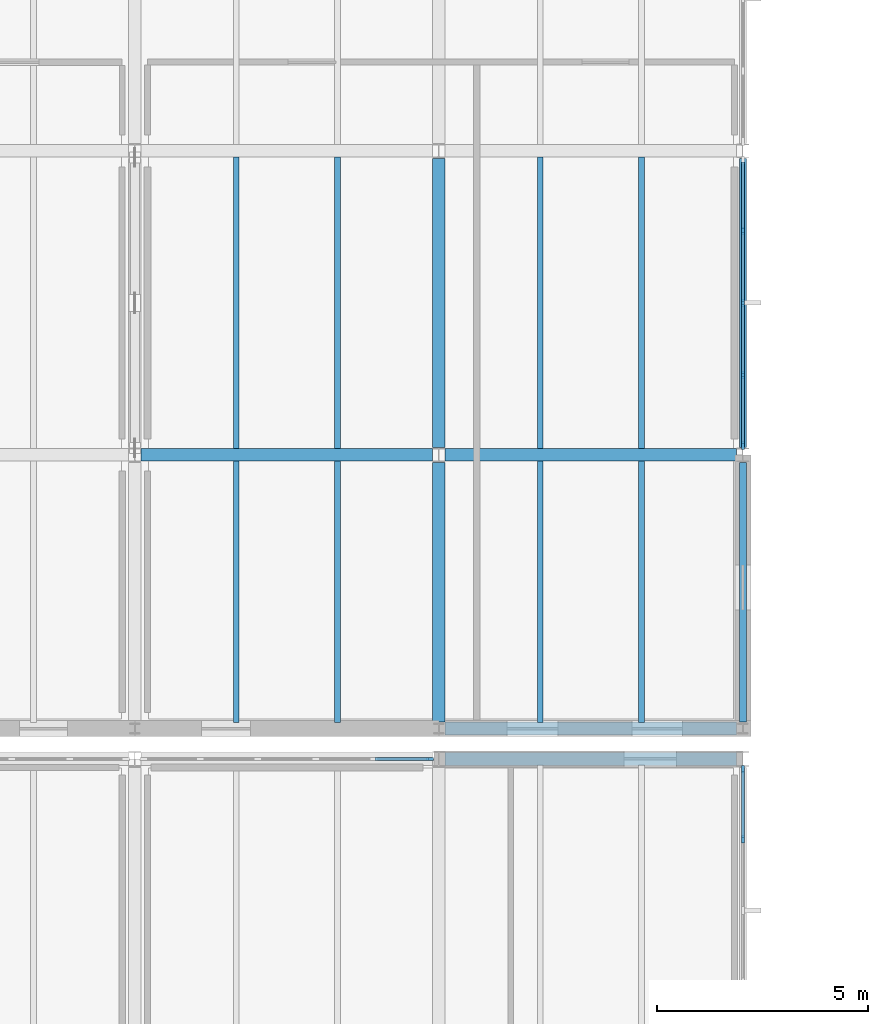
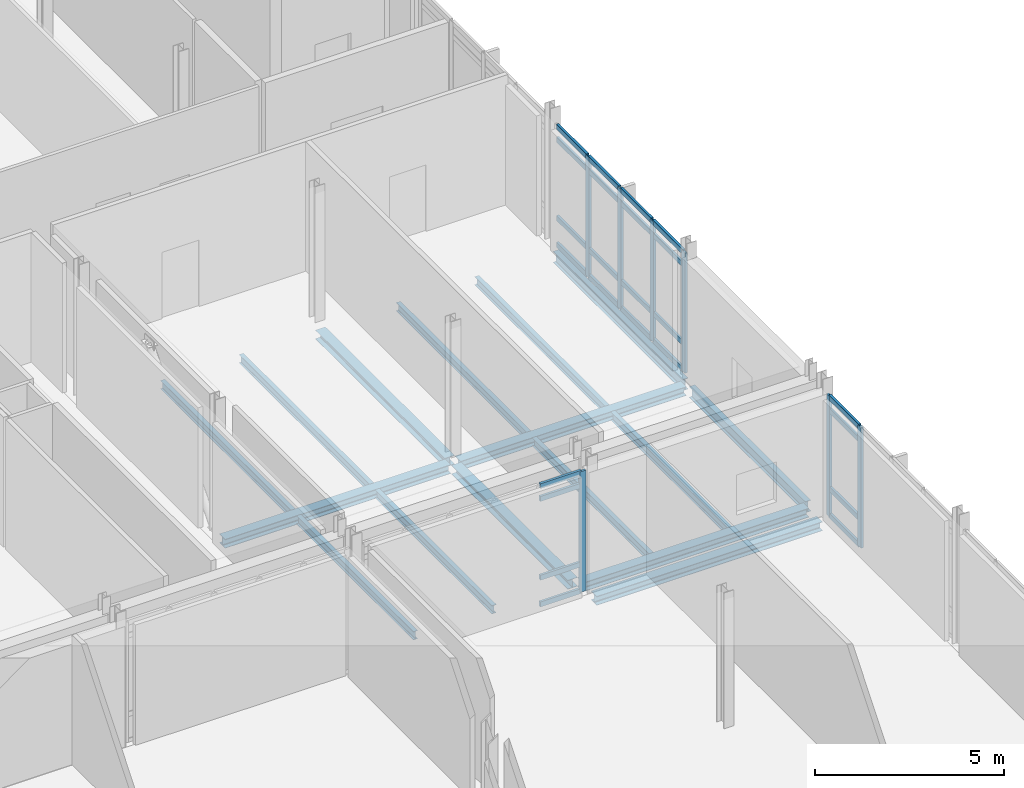
# One storey, part 21 of 72: 31 members, 16 beams, 3 elements without a shape of their own.
"""IFC4 building model written with IfcOpenShell, lengths in metres."""

from ifc_helpers import new_model, si_unit, direction, frame, origin, origin_2d, place, context, subcontext, project, spatial, rectangle, i_section, extrude, material, layer, layer_set, material_profile, profile_set, type_object, element, aggregate, save


model = new_model("IFC4")

# Units and contexts
model_context = context("Model", 3, precision=1e-05, world=origin(), true_north=direction((0.0, 1.0)))
body_context = subcontext(model_context, "Body", "Model", "MODEL_VIEW")
ifc_project = project(units=[si_unit("LENGTHUNIT", "METRE"), si_unit("AREAUNIT", "SQUARE_METRE"), si_unit("VOLUMEUNIT", "CUBIC_METRE"), si_unit("PLANEANGLEUNIT", "RADIAN"), si_unit("MASSUNIT", "GRAM", prefix="KILO")], contexts=[model_context])

# Site, building, storey
site_placement = place(None, origin())
site = spatial("IfcSite", under=ifc_project, at=site_placement, CompositionType="ELEMENT")
building_placement = place(site_placement, origin())
building = spatial("IfcBuilding", under=site, at=building_placement, Name="Zarrinpeak Specialist Clinic", CompositionType="ELEMENT")
storey_placement = place(building_placement, frame((0.0, 0.0, 9.60009765625)))
storey = spatial("IfcBuildingStorey", under=building, at=storey_placement, Name="L02", CompositionType="ELEMENT", Elevation=9.60009765625)

# Beams
ifc_material_1 = material(Name="Steel S355", Category="steel")
ifc_material_profile_1 = material_profile(ifc_material_1, i_section(OverallWidth=0.300048828125, OverallDepth=0.2900390625, WebThickness=0.008544921875, FlangeThickness=0.013916015625, FilletRadius=0.027099609375, at=origin_2d()), Name="HEA 300")
ifc_profile_set_1 = profile_set([ifc_material_profile_1], Name="Steel S355")
beam_type_1 = type_object("IfcBeamType", Name="BM-HEA300", PredefinedType="BEAM", material=ifc_profile_set_1)
for number, where, z_axis, x_axis, name in (
    (1, (21.748046875, 50.39990234375, -0.360107421875), (1.0, 0.0, 0.0), (0.0, 1.0, 0.0), "L02 Primary Floor Girder BM-L02-X1175"),
    (2, (21.748046875, 51.1201171875, -0.360107421875), (1.0, 0.0, 0.0), (0.0, 1.0, 0.0), "L02 Primary Floor Girder BM-L02-X1180"),
):
    element("IfcBeam", number, at=place(storey_placement, frame(where, z_axis=z_axis, x_axis=x_axis)), inside=storey, type_object=beam_type_1, Name=name, PredefinedType="BEAM", context=body_context, shape_type="SweptSolid", body=[
        extrude(i_section(OverallWidth=0.300048828125, OverallDepth=0.2900390625, WebThickness=0.008544921875, FlangeThickness=0.013916015625, FilletRadius=0.027099609375, at=origin_2d()), origin(), (0.0, 0.0, 1.0), 6.904052734375),
    ])
beam_1_placement = place(storey_placement, frame((14.548095703125, 57.60009765625, -0.360107421875), z_axis=(1.0, 0.0, 0.0), x_axis=(0.0, 1.0, 0.0)))
element("IfcBeam", 3, at=beam_1_placement, inside=storey, type_object=beam_type_1, Name="L02 Primary Floor Girder BM-L02-X1183", PredefinedType="BEAM", context=body_context, shape_type="SweptSolid", body=[
    extrude(i_section(OverallWidth=0.300048828125, OverallDepth=0.2900390625, WebThickness=0.008544921875, FlangeThickness=0.013916015625, FilletRadius=0.027099609375, at=origin_2d()), origin(), (0.0, 0.0, 1.0), 6.90380859375),
])
beam_2_placement = place(storey_placement, frame((21.748046875, 57.60009765625, -0.360107421875), z_axis=(1.0, 0.0, 0.0), x_axis=(0.0, 1.0, 0.0)))
element("IfcBeam", 4, at=beam_2_placement, inside=storey, type_object=beam_type_1, Name="L02 Primary Floor Girder BM-L02-X1184", PredefinedType="BEAM", context=body_context, shape_type="SweptSolid", body=[
    extrude(i_section(OverallWidth=0.300048828125, OverallDepth=0.2900390625, WebThickness=0.008544921875, FlangeThickness=0.013916015625, FilletRadius=0.027099609375, at=origin_2d()), origin(), (0.0, 0.0, 1.0), 6.904052734375),
])
beam_3_placement = place(storey_placement, frame((21.60009765625, 51.278076171875, -0.360107421875), z_axis=(0.0, 1.0, 0.0), x_axis=(-1.0, 0.0, 0.0)))
element("IfcBeam", 5, at=beam_3_placement, inside=storey, type_object=beam_type_1, Name="L02 Primary Beam BM-L02-Y1261", PredefinedType="BEAM", context=body_context, shape_type="SweptSolid", body=[
    extrude(i_section(OverallWidth=0.300048828125, OverallDepth=0.2900390625, WebThickness=0.008544921875, FlangeThickness=0.013916015625, FilletRadius=0.027099609375, at=origin_2d()), origin(), (0.0, 0.0, 1.0), 6.14404296875),
])
beam_4_placement = place(storey_placement, frame((21.60009765625, 57.778076171875, -0.360107421875), z_axis=(0.0, 1.0, 0.0), x_axis=(-1.0, 0.0, 0.0)))
element("IfcBeam", 6, at=beam_4_placement, inside=storey, type_object=beam_type_1, Name="L02 Primary Beam BM-L02-Y1262", PredefinedType="BEAM", context=body_context, shape_type="SweptSolid", body=[
    extrude(i_section(OverallWidth=0.300048828125, OverallDepth=0.2900390625, WebThickness=0.008544921875, FlangeThickness=0.013916015625, FilletRadius=0.027099609375, at=origin_2d()), origin(), (0.0, 0.0, 1.0), 6.843994140625),
])
ifc_material_profile_2 = material_profile(ifc_material_1, i_section(OverallWidth=0.135009765625, OverallDepth=0.27001953125, WebThickness=0.006591796875, FlangeThickness=0.01025390625, FilletRadius=0.014892578125, at=origin_2d()), Name="IPE 270")
ifc_profile_set_2 = profile_set([ifc_material_profile_2], Name="Steel S355")
beam_type_2 = type_object("IfcBeamType", Name="BM-JST270", PredefinedType="JOIST", material=ifc_profile_set_2)
for number, where, z_axis, x_axis, name in (
    (7, (16.800048828125, 51.26806640625, -0.35009765625), (0.0, 1.0, 0.0), (-1.0, 0.0, 0.0), "L02 Composite Floor Joist JST-L02-1438"),
    (8, (19.199951171875, 51.26806640625, -0.35009765625), (0.0, 1.0, 0.0), (-1.0, 0.0, 0.0), "L02 Composite Floor Joist JST-L02-1439"),
):
    element("IfcBeam", number, at=place(storey_placement, frame(where, z_axis=z_axis, x_axis=x_axis)), inside=storey, type_object=beam_type_2, Name=name, PredefinedType="JOIST", context=body_context, shape_type="SweptSolid", body=[
        extrude(i_section(OverallWidth=0.135009765625, OverallDepth=0.27001953125, WebThickness=0.006591796875, FlangeThickness=0.01025390625, FilletRadius=0.014892578125, at=origin_2d()), origin(), (0.0, 0.0, 1.0), 6.183837890625),
    ])
for number, where, z_axis, x_axis, name in (
    (9, (16.800048828125, 57.748046875, -0.35009765625), (0.0, 1.0, 0.0), (-1.0, 0.0, 0.0), "L02 Composite Floor Joist JST-L02-1440"),
    (10, (19.199951171875, 57.748046875, -0.35009765625), (0.0, 1.0, 0.0), (-1.0, 0.0, 0.0), "L02 Composite Floor Joist JST-L02-1441"),
):
    element("IfcBeam", number, at=place(storey_placement, frame(where, z_axis=z_axis, x_axis=x_axis)), inside=storey, type_object=beam_type_2, Name=name, PredefinedType="JOIST", context=body_context, shape_type="SweptSolid", body=[
        extrude(i_section(OverallWidth=0.135009765625, OverallDepth=0.27001953125, WebThickness=0.006591796875, FlangeThickness=0.01025390625, FilletRadius=0.014892578125, at=origin_2d()), origin(), (0.0, 0.0, 1.0), 6.904052734375),
    ])
for number, where, z_axis, x_axis, name in (
    (11, (24.0, 51.26806640625, -0.35009765625), (0.0, 1.0, 0.0), (-1.0, 0.0, 0.0), "L02 Composite Floor Joist JST-L02-1448"),
    (12, (26.39990234375, 51.26806640625, -0.35009765625), (0.0, 1.0, 0.0), (-1.0, 0.0, 0.0), "L02 Composite Floor Joist JST-L02-1449"),
):
    element("IfcBeam", number, at=place(storey_placement, frame(where, z_axis=z_axis, x_axis=x_axis)), inside=storey, type_object=beam_type_2, Name=name, PredefinedType="JOIST", context=body_context, shape_type="SweptSolid", body=[
        extrude(i_section(OverallWidth=0.135009765625, OverallDepth=0.27001953125, WebThickness=0.006591796875, FlangeThickness=0.01025390625, FilletRadius=0.014892578125, at=origin_2d()), origin(), (0.0, 0.0, 1.0), 6.183837890625),
    ])
for number, where, z_axis, x_axis, name in (
    (13, (24.0, 57.748046875, -0.35009765625), (0.0, 1.0, 0.0), (-1.0, 0.0, 0.0), "L02 Composite Floor Joist JST-L02-1450"),
    (14, (26.39990234375, 57.748046875, -0.35009765625), (0.0, 1.0, 0.0), (-1.0, 0.0, 0.0), "L02 Composite Floor Joist JST-L02-1451"),
):
    element("IfcBeam", number, at=place(storey_placement, frame(where, z_axis=z_axis, x_axis=x_axis)), inside=storey, type_object=beam_type_2, Name=name, PredefinedType="JOIST", context=body_context, shape_type="SweptSolid", body=[
        extrude(i_section(OverallWidth=0.135009765625, OverallDepth=0.27001953125, WebThickness=0.006591796875, FlangeThickness=0.01025390625, FilletRadius=0.014892578125, at=origin_2d()), origin(), (0.0, 0.0, 1.0), 6.904052734375),
    ])
ifc_material_profile_3 = material_profile(ifc_material_1, i_section(OverallWidth=0.169921875, OverallDepth=0.360107421875, WebThickness=0.008056640625, FlangeThickness=0.0126953125, FilletRadius=0.01806640625, at=origin_2d()), Name="IPE 360")
ifc_profile_set_3 = profile_set([ifc_material_profile_3], Name="Steel S355")
beam_type_3 = type_object("IfcBeamType", Name="BM-SP360", PredefinedType="SPANDREL", material=ifc_profile_set_3)
beam_5_placement = place(storey_placement, frame((28.800048828125, 51.278076171875, -0.39501953125), z_axis=(0.0, 1.0, 0.0), x_axis=(-1.0, 0.0, 0.0)))
element("IfcBeam", 15, at=beam_5_placement, inside=storey, type_object=beam_type_3, Name="L02 Perimeter Spandrel Beam BM-L02-Y1270", PredefinedType="SPANDREL", context=body_context, shape_type="SweptSolid", body=[
    extrude(i_section(OverallWidth=0.169921875, OverallDepth=0.360107421875, WebThickness=0.008056640625, FlangeThickness=0.0126953125, FilletRadius=0.01806640625, at=origin_2d()), origin(), (0.0, 0.0, 1.0), 6.14404296875),
])
beam_6_placement = place(storey_placement, frame((28.800048828125, 57.778076171875, -0.39501953125), z_axis=(0.0, 1.0, 0.0), x_axis=(-1.0, 0.0, 0.0)))
element("IfcBeam", 16, at=beam_6_placement, inside=storey, type_object=beam_type_3, Name="L02 Perimeter Spandrel Beam BM-L02-Y1271", PredefinedType="SPANDREL", context=body_context, shape_type="SweptSolid", body=[
    extrude(i_section(OverallWidth=0.169921875, OverallDepth=0.360107421875, WebThickness=0.008056640625, FlangeThickness=0.0126953125, FilletRadius=0.01806640625, at=origin_2d()), origin(), (0.0, 0.0, 1.0), 6.843994140625),
])

# Curtain wall, member
ifc_material_2 = material(Name="Anodised Aluminium Alloy 6063-T6", Category="aluminium")
ifc_layer_1 = layer(ifc_material_2, 0.1650390625)
ifc_layer_set_1 = layer_set([ifc_layer_1], Name="Anodised Aluminium Alloy 6063-T6")
curtain_wall_type_1 = type_object("IfcCurtainWallType", Name="CW-CLINIC", PredefinedType="NOTDEFINED", material=ifc_layer_set_1)
curtain_wall_1_placement = place(storey_placement, origin())
curtain_wall_1 = element("IfcCurtainWall", 17, at=curtain_wall_1_placement, inside=storey, type_object=curtain_wall_type_1, Name="L02 V1 Unitised Curtain Wall CW-L02-V1-014", PredefinedType="NOTDEFINED")
ifc_material_profile_4 = material_profile(ifc_material_2, rectangle(XDim=0.074951171875, YDim=0.179931640625, at=origin_2d()), Name="ALU 75x180")
ifc_profile_set_4 = profile_set([ifc_material_profile_4], Name="Anodised Aluminium Alloy 6063-T6")
member_type_1 = type_object("IfcMemberType", Name="CWM-75", PredefinedType="MULLION", material=ifc_profile_set_4)
member_1_placement = place(storey_placement, frame((21.387451171875, 50.39990234375, 0.0), z_axis=(0.0, 0.0, 1.0), x_axis=(0.0, -1.0, 0.0)))
member_1 = element("IfcMember", 18, at=member_1_placement, type_object=member_type_1, Name="CW-03 mullion 1", PredefinedType="MULLION", context=body_context, shape_type="SweptSolid", body=[
    extrude(rectangle(XDim=0.074951171875, YDim=0.179931640625, at=origin_2d()), origin(), (0.0, 0.0, 1.0), 3.89501953125),
])

# Curtain wall, members
ifc_layer_2 = layer(ifc_material_2, 0.179931640625)
ifc_layer_set_2 = layer_set([ifc_layer_2], Name="Anodised Aluminium Alloy 6063-T6")
curtain_wall_type_2 = type_object("IfcCurtainWallType", Name="CW-COURT", PredefinedType="NOTDEFINED", material=ifc_layer_set_2)
curtain_wall_2_placement = place(storey_placement, origin())
curtain_wall_2 = element("IfcCurtainWall", 19, at=curtain_wall_2_placement, inside=storey, type_object=curtain_wall_type_2, Name="L02 V1 Unitised Curtain Wall CW-L02-V1-018", PredefinedType="NOTDEFINED")
member_2_placement = place(storey_placement, frame((28.800048828125, 48.50244140625, 0.0), z_axis=(0.0, 0.0, 1.0), x_axis=(-1.0, 0.0, 0.0)))
member_2 = element("IfcMember", 20, at=member_2_placement, type_object=member_type_1, Name="CW-01 mullion 4", PredefinedType="MULLION", context=body_context, shape_type="SweptSolid", body=[
    extrude(rectangle(XDim=0.074951171875, YDim=0.179931640625, at=origin_2d()), origin(), (0.0, 0.0, 1.0), 3.885009765625),
])
member_3_placement = place(storey_placement, frame((28.800048828125, 50.157470703125, 0.0), z_axis=(0.0, 0.0, 1.0), x_axis=(-1.0, 0.0, 0.0)))
member_3 = element("IfcMember", 21, at=member_3_placement, type_object=member_type_1, Name="CW-01 mullion 5", PredefinedType="MULLION", context=body_context, shape_type="SweptSolid", body=[
    extrude(rectangle(XDim=0.074951171875, YDim=0.179931640625, at=origin_2d()), origin(), (0.0, 0.0, 1.0), 3.885009765625),
])

curtain_wall_3_placement = place(storey_placement, origin())
curtain_wall_3 = element("IfcCurtainWall", 22, at=curtain_wall_3_placement, inside=storey, type_object=curtain_wall_type_2, Name="L02 V5 Unitised Curtain Wall CW-L02-V5-125", PredefinedType="NOTDEFINED")
member_4_placement = place(storey_placement, frame((28.800048828125, 57.822509765625, 0.0), z_axis=(0.0, 0.0, 1.0), x_axis=(-1.0, 0.0, 0.0)))
member_4 = element("IfcMember", 23, at=member_4_placement, type_object=member_type_1, Name="CW-01 mullion 1", PredefinedType="MULLION", context=body_context, shape_type="SweptSolid", body=[
    extrude(rectangle(XDim=0.074951171875, YDim=0.179931640625, at=origin_2d()), origin(), (0.0, 0.0, 1.0), 3.885009765625),
])
member_5_placement = place(storey_placement, frame((28.800048828125, 59.492431640625, 0.0), z_axis=(0.0, 0.0, 1.0), x_axis=(-1.0, 0.0, 0.0)))
member_5 = element("IfcMember", 24, at=member_5_placement, type_object=member_type_1, Name="CW-01 mullion 2", PredefinedType="MULLION", context=body_context, shape_type="SweptSolid", body=[
    extrude(rectangle(XDim=0.074951171875, YDim=0.179931640625, at=origin_2d()), origin(), (0.0, 0.0, 1.0), 3.885009765625),
])
member_6_placement = place(storey_placement, frame((28.800048828125, 61.199951171875, 0.0), z_axis=(0.0, 0.0, 1.0), x_axis=(-1.0, 0.0, 0.0)))
member_6 = element("IfcMember", 25, at=member_6_placement, type_object=member_type_1, Name="CW-01 mullion 3", PredefinedType="MULLION", context=body_context, shape_type="SweptSolid", body=[
    extrude(rectangle(XDim=0.074951171875, YDim=0.179931640625, at=origin_2d()), origin(), (0.0, 0.0, 1.0), 3.885009765625),
])
member_7_placement = place(storey_placement, frame((28.800048828125, 62.907470703125, 0.0), z_axis=(0.0, 0.0, 1.0), x_axis=(-1.0, 0.0, 0.0)))
member_7 = element("IfcMember", 26, at=member_7_placement, type_object=member_type_1, Name="CW-01 mullion 4", PredefinedType="MULLION", context=body_context, shape_type="SweptSolid", body=[
    extrude(rectangle(XDim=0.074951171875, YDim=0.179931640625, at=origin_2d()), origin(), (0.0, 0.0, 1.0), 3.885009765625),
])

# Member
ifc_material_profile_5 = material_profile(ifc_material_2, rectangle(XDim=0.074951171875, YDim=0.159912109375, at=origin_2d()), Name="ALU 75x160")
ifc_profile_set_5 = profile_set([ifc_material_profile_5], Name="Anodised Aluminium Alloy 6063-T6")
member_type_2 = type_object("IfcMemberType", Name="CWT-75", PredefinedType="USERDEFINED", material=ifc_profile_set_5)
member_8_placement = place(storey_placement, frame((21.35009765625, 50.39990234375, 0.037353515625), z_axis=(-1.0, 0.0, 0.0), x_axis=(0.0, -1.0, 0.0)))
member_8 = element("IfcMember", 27, at=member_8_placement, type_object=member_type_2, Name="CW-03 transom 1.1", ObjectType="TRANSOM", PredefinedType="USERDEFINED", context=body_context, shape_type="SweptSolid", body=[
    extrude(rectangle(XDim=0.074951171875, YDim=0.159912109375, at=origin_2d()), origin(), (0.0, 0.0, 1.0), 1.257568359375),
])

member_9_placement = place(storey_placement, frame((21.35009765625, 50.39990234375, 0.89990234375), z_axis=(-1.0, 0.0, 0.0), x_axis=(0.0, -1.0, 0.0)))
member_9 = element("IfcMember", 28, at=member_9_placement, type_object=member_type_2, Name="CW-03 transom 1.2", ObjectType="TRANSOM", PredefinedType="USERDEFINED", context=body_context, shape_type="SweptSolid", body=[
    extrude(rectangle(XDim=0.074951171875, YDim=0.159912109375, at=origin_2d()), origin(), (0.0, 0.0, 1.0), 1.257568359375),
])

member_10_placement = place(storey_placement, frame((21.35009765625, 50.39990234375, 3.44482421875), z_axis=(-1.0, 0.0, 0.0), x_axis=(0.0, -1.0, 0.0)))
member_10 = element("IfcMember", 29, at=member_10_placement, type_object=member_type_2, Name="CW-03 transom 1.3", ObjectType="TRANSOM", PredefinedType="USERDEFINED", context=body_context, shape_type="SweptSolid", body=[
    extrude(rectangle(XDim=0.074951171875, YDim=0.159912109375, at=origin_2d()), origin(), (0.0, 0.0, 1.0), 1.257568359375),
])

member_11_placement = place(storey_placement, frame((21.35009765625, 50.39990234375, 3.857421875), z_axis=(-1.0, 0.0, 0.0), x_axis=(0.0, -1.0, 0.0)))
member_11 = element("IfcMember", 30, at=member_11_placement, type_object=member_type_2, Name="CW-03 transom 1.4", ObjectType="TRANSOM", PredefinedType="USERDEFINED", context=body_context, shape_type="SweptSolid", body=[
    extrude(rectangle(XDim=0.074951171875, YDim=0.159912109375, at=origin_2d()), origin(), (0.0, 0.0, 1.0), 1.257568359375),
])

aggregate(curtain_wall_1, [member_1, member_8, member_9, member_10, member_11])

member_12_placement = place(storey_placement, frame((28.800048828125, 48.5400390625, 0.037353515625), z_axis=(0.0, 1.0, 0.0), x_axis=(-1.0, 0.0, 0.0)))
member_12 = element("IfcMember", 31, at=member_12_placement, type_object=member_type_2, Name="CW-01 transom 4.1", ObjectType="TRANSOM", PredefinedType="USERDEFINED", context=body_context, shape_type="SweptSolid", body=[
    extrude(rectangle(XDim=0.074951171875, YDim=0.159912109375, at=origin_2d()), origin(), (0.0, 0.0, 1.0), 1.580078125),
])

member_13_placement = place(storey_placement, frame((28.800048828125, 48.5400390625, 0.89990234375), z_axis=(0.0, 1.0, 0.0), x_axis=(-1.0, 0.0, 0.0)))
member_13 = element("IfcMember", 32, at=member_13_placement, type_object=member_type_2, Name="CW-01 transom 4.2", ObjectType="TRANSOM", PredefinedType="USERDEFINED", context=body_context, shape_type="SweptSolid", body=[
    extrude(rectangle(XDim=0.074951171875, YDim=0.159912109375, at=origin_2d()), origin(), (0.0, 0.0, 1.0), 1.580078125),
])

member_14_placement = place(storey_placement, frame((28.800048828125, 48.5400390625, 3.434814453125), z_axis=(0.0, 1.0, 0.0), x_axis=(-1.0, 0.0, 0.0)))
member_14 = element("IfcMember", 33, at=member_14_placement, type_object=member_type_2, Name="CW-01 transom 4.3", ObjectType="TRANSOM", PredefinedType="USERDEFINED", context=body_context, shape_type="SweptSolid", body=[
    extrude(rectangle(XDim=0.074951171875, YDim=0.159912109375, at=origin_2d()), origin(), (0.0, 0.0, 1.0), 1.580078125),
])

member_15_placement = place(storey_placement, frame((28.800048828125, 48.5400390625, 3.847412109375), z_axis=(0.0, 1.0, 0.0), x_axis=(-1.0, 0.0, 0.0)))
member_15 = element("IfcMember", 34, at=member_15_placement, type_object=member_type_2, Name="CW-01 transom 4.4", ObjectType="TRANSOM", PredefinedType="USERDEFINED", context=body_context, shape_type="SweptSolid", body=[
    extrude(rectangle(XDim=0.074951171875, YDim=0.159912109375, at=origin_2d()), origin(), (0.0, 0.0, 1.0), 1.580078125),
])

aggregate(curtain_wall_2, [member_2, member_3, member_12, member_13, member_14, member_15])

member_16_placement = place(storey_placement, frame((28.800048828125, 57.860107421875, 0.037353515625), z_axis=(0.0, 1.0, 0.0), x_axis=(-1.0, 0.0, 0.0)))
member_16 = element("IfcMember", 35, at=member_16_placement, type_object=member_type_2, Name="CW-01 transom 1.1", ObjectType="TRANSOM", PredefinedType="USERDEFINED", context=body_context, shape_type="SweptSolid", body=[
    extrude(rectangle(XDim=0.074951171875, YDim=0.159912109375, at=origin_2d()), origin(), (0.0, 0.0, 1.0), 1.594970703125),
])

member_17_placement = place(storey_placement, frame((28.800048828125, 57.860107421875, 0.89990234375), z_axis=(0.0, 1.0, 0.0), x_axis=(-1.0, 0.0, 0.0)))
member_17 = element("IfcMember", 36, at=member_17_placement, type_object=member_type_2, Name="CW-01 transom 1.2", ObjectType="TRANSOM", PredefinedType="USERDEFINED", context=body_context, shape_type="SweptSolid", body=[
    extrude(rectangle(XDim=0.074951171875, YDim=0.159912109375, at=origin_2d()), origin(), (0.0, 0.0, 1.0), 1.594970703125),
])

member_18_placement = place(storey_placement, frame((28.800048828125, 57.860107421875, 3.434814453125), z_axis=(0.0, 1.0, 0.0), x_axis=(-1.0, 0.0, 0.0)))
member_18 = element("IfcMember", 37, at=member_18_placement, type_object=member_type_2, Name="CW-01 transom 1.3", ObjectType="TRANSOM", PredefinedType="USERDEFINED", context=body_context, shape_type="SweptSolid", body=[
    extrude(rectangle(XDim=0.074951171875, YDim=0.159912109375, at=origin_2d()), origin(), (0.0, 0.0, 1.0), 1.594970703125),
])

member_19_placement = place(storey_placement, frame((28.800048828125, 57.860107421875, 3.847412109375), z_axis=(0.0, 1.0, 0.0), x_axis=(-1.0, 0.0, 0.0)))
member_19 = element("IfcMember", 38, at=member_19_placement, type_object=member_type_2, Name="CW-01 transom 1.4", ObjectType="TRANSOM", PredefinedType="USERDEFINED", context=body_context, shape_type="SweptSolid", body=[
    extrude(rectangle(XDim=0.074951171875, YDim=0.159912109375, at=origin_2d()), origin(), (0.0, 0.0, 1.0), 1.594970703125),
])

member_20_placement = place(storey_placement, frame((28.800048828125, 59.530029296875, 0.037353515625), z_axis=(0.0, 1.0, 0.0), x_axis=(-1.0, 0.0, 0.0)))
member_20 = element("IfcMember", 39, at=member_20_placement, type_object=member_type_2, Name="CW-01 transom 2.1", ObjectType="TRANSOM", PredefinedType="USERDEFINED", context=body_context, shape_type="SweptSolid", body=[
    extrude(rectangle(XDim=0.074951171875, YDim=0.159912109375, at=origin_2d()), origin(), (0.0, 0.0, 1.0), 1.632568359375),
])

member_21_placement = place(storey_placement, frame((28.800048828125, 59.530029296875, 0.89990234375), z_axis=(0.0, 1.0, 0.0), x_axis=(-1.0, 0.0, 0.0)))
member_21 = element("IfcMember", 40, at=member_21_placement, type_object=member_type_2, Name="CW-01 transom 2.2", ObjectType="TRANSOM", PredefinedType="USERDEFINED", context=body_context, shape_type="SweptSolid", body=[
    extrude(rectangle(XDim=0.074951171875, YDim=0.159912109375, at=origin_2d()), origin(), (0.0, 0.0, 1.0), 1.632568359375),
])

member_22_placement = place(storey_placement, frame((28.800048828125, 59.530029296875, 3.434814453125), z_axis=(0.0, 1.0, 0.0), x_axis=(-1.0, 0.0, 0.0)))
member_22 = element("IfcMember", 41, at=member_22_placement, type_object=member_type_2, Name="CW-01 transom 2.3", ObjectType="TRANSOM", PredefinedType="USERDEFINED", context=body_context, shape_type="SweptSolid", body=[
    extrude(rectangle(XDim=0.074951171875, YDim=0.159912109375, at=origin_2d()), origin(), (0.0, 0.0, 1.0), 1.632568359375),
])

member_23_placement = place(storey_placement, frame((28.800048828125, 59.530029296875, 3.847412109375), z_axis=(0.0, 1.0, 0.0), x_axis=(-1.0, 0.0, 0.0)))
member_23 = element("IfcMember", 42, at=member_23_placement, type_object=member_type_2, Name="CW-01 transom 2.4", ObjectType="TRANSOM", PredefinedType="USERDEFINED", context=body_context, shape_type="SweptSolid", body=[
    extrude(rectangle(XDim=0.074951171875, YDim=0.159912109375, at=origin_2d()), origin(), (0.0, 0.0, 1.0), 1.632568359375),
])

member_24_placement = place(storey_placement, frame((28.800048828125, 61.237548828125, 0.037353515625), z_axis=(0.0, 1.0, 0.0), x_axis=(-1.0, 0.0, 0.0)))
member_24 = element("IfcMember", 43, at=member_24_placement, type_object=member_type_2, Name="CW-01 transom 3.1", ObjectType="TRANSOM", PredefinedType="USERDEFINED", context=body_context, shape_type="SweptSolid", body=[
    extrude(rectangle(XDim=0.074951171875, YDim=0.159912109375, at=origin_2d()), origin(), (0.0, 0.0, 1.0), 1.632568359375),
])

member_25_placement = place(storey_placement, frame((28.800048828125, 61.237548828125, 0.89990234375), z_axis=(0.0, 1.0, 0.0), x_axis=(-1.0, 0.0, 0.0)))
member_25 = element("IfcMember", 44, at=member_25_placement, type_object=member_type_2, Name="CW-01 transom 3.2", ObjectType="TRANSOM", PredefinedType="USERDEFINED", context=body_context, shape_type="SweptSolid", body=[
    extrude(rectangle(XDim=0.074951171875, YDim=0.159912109375, at=origin_2d()), origin(), (0.0, 0.0, 1.0), 1.632568359375),
])

member_26_placement = place(storey_placement, frame((28.800048828125, 61.237548828125, 3.434814453125), z_axis=(0.0, 1.0, 0.0), x_axis=(-1.0, 0.0, 0.0)))
member_26 = element("IfcMember", 45, at=member_26_placement, type_object=member_type_2, Name="CW-01 transom 3.3", ObjectType="TRANSOM", PredefinedType="USERDEFINED", context=body_context, shape_type="SweptSolid", body=[
    extrude(rectangle(XDim=0.074951171875, YDim=0.159912109375, at=origin_2d()), origin(), (0.0, 0.0, 1.0), 1.632568359375),
])

member_27_placement = place(storey_placement, frame((28.800048828125, 61.237548828125, 3.847412109375), z_axis=(0.0, 1.0, 0.0), x_axis=(-1.0, 0.0, 0.0)))
member_27 = element("IfcMember", 46, at=member_27_placement, type_object=member_type_2, Name="CW-01 transom 3.4", ObjectType="TRANSOM", PredefinedType="USERDEFINED", context=body_context, shape_type="SweptSolid", body=[
    extrude(rectangle(XDim=0.074951171875, YDim=0.159912109375, at=origin_2d()), origin(), (0.0, 0.0, 1.0), 1.632568359375),
])

member_28_placement = place(storey_placement, frame((28.800048828125, 62.945068359375, 0.037353515625), z_axis=(0.0, 1.0, 0.0), x_axis=(-1.0, 0.0, 0.0)))
member_28 = element("IfcMember", 47, at=member_28_placement, type_object=member_type_2, Name="CW-01 transom 4.1", ObjectType="TRANSOM", PredefinedType="USERDEFINED", context=body_context, shape_type="SweptSolid", body=[
    extrude(rectangle(XDim=0.074951171875, YDim=0.159912109375, at=origin_2d()), origin(), (0.0, 0.0, 1.0), 1.594970703125),
])

member_29_placement = place(storey_placement, frame((28.800048828125, 62.945068359375, 0.89990234375), z_axis=(0.0, 1.0, 0.0), x_axis=(-1.0, 0.0, 0.0)))
member_29 = element("IfcMember", 48, at=member_29_placement, type_object=member_type_2, Name="CW-01 transom 4.2", ObjectType="TRANSOM", PredefinedType="USERDEFINED", context=body_context, shape_type="SweptSolid", body=[
    extrude(rectangle(XDim=0.074951171875, YDim=0.159912109375, at=origin_2d()), origin(), (0.0, 0.0, 1.0), 1.594970703125),
])

member_30_placement = place(storey_placement, frame((28.800048828125, 62.945068359375, 3.434814453125), z_axis=(0.0, 1.0, 0.0), x_axis=(-1.0, 0.0, 0.0)))
member_30 = element("IfcMember", 49, at=member_30_placement, type_object=member_type_2, Name="CW-01 transom 4.3", ObjectType="TRANSOM", PredefinedType="USERDEFINED", context=body_context, shape_type="SweptSolid", body=[
    extrude(rectangle(XDim=0.074951171875, YDim=0.159912109375, at=origin_2d()), origin(), (0.0, 0.0, 1.0), 1.594970703125),
])

member_31_placement = place(storey_placement, frame((28.800048828125, 62.945068359375, 3.847412109375), z_axis=(0.0, 1.0, 0.0), x_axis=(-1.0, 0.0, 0.0)))
member_31 = element("IfcMember", 50, at=member_31_placement, type_object=member_type_2, Name="CW-01 transom 4.4", ObjectType="TRANSOM", PredefinedType="USERDEFINED", context=body_context, shape_type="SweptSolid", body=[
    extrude(rectangle(XDim=0.074951171875, YDim=0.159912109375, at=origin_2d()), origin(), (0.0, 0.0, 1.0), 1.594970703125),
])

aggregate(curtain_wall_3, [member_4, member_5, member_6, member_7, member_16, member_17, member_18, member_19, member_20, member_21, member_22, member_23, member_24, member_25, member_26, member_27, member_28, member_29, member_30, member_31])

save(model, "model.ifc")
